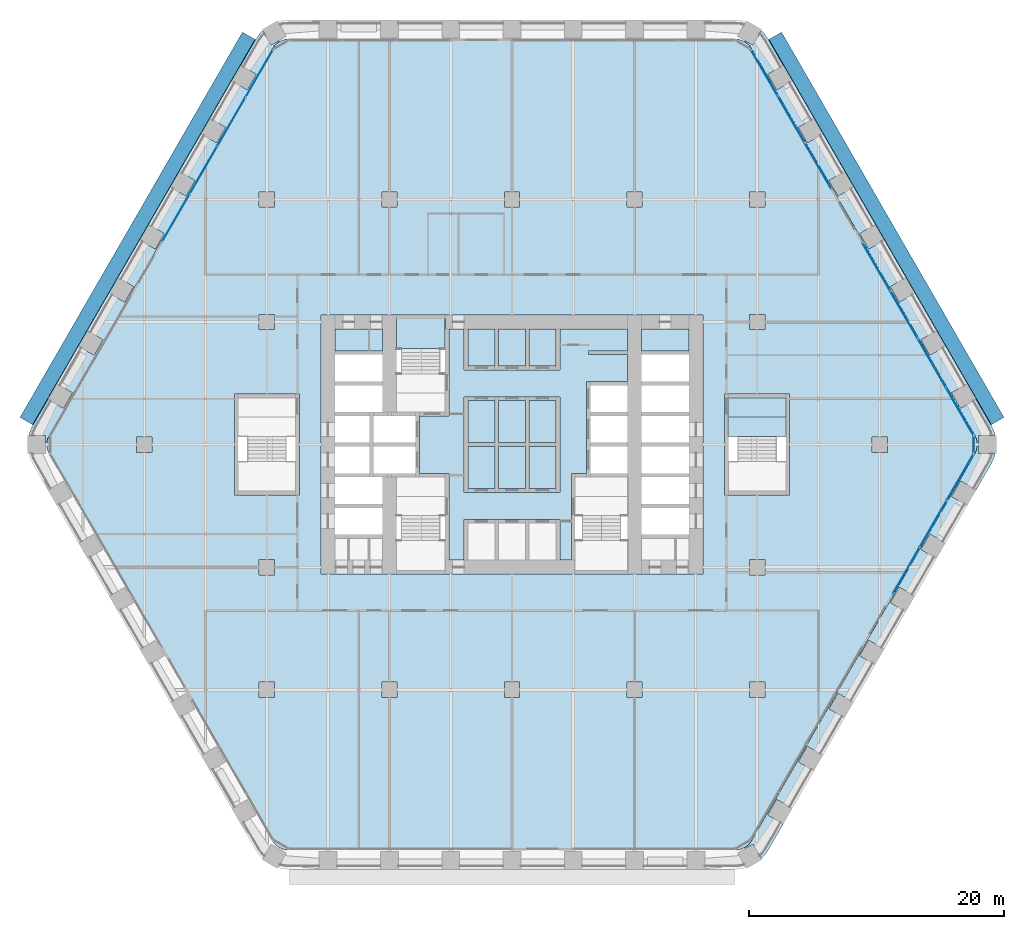
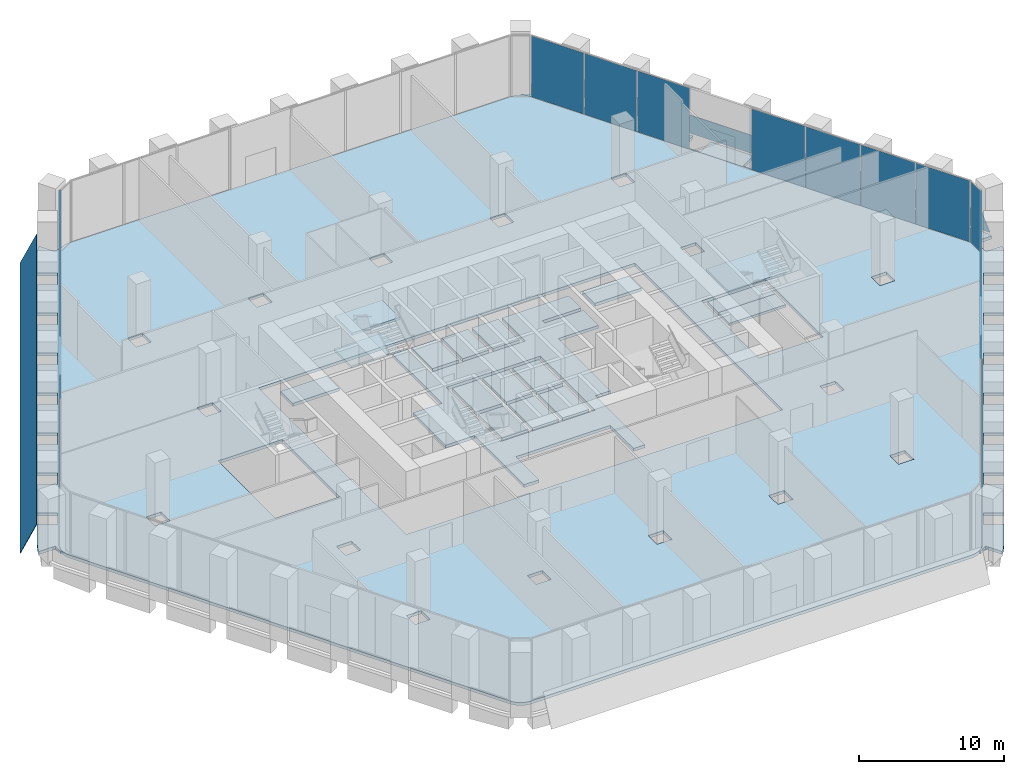
# One storey, part 16 of 27: 21 slabs, 17 plates, 7 elements without a shape of their own.
"""IFC4 building model written with IfcOpenShell, lengths in metres."""

from ifc_helpers import new_model, si_unit, direction, frame, origin, origin_2d, place, context, subcontext, project, spatial, polyline, rectangle, outline, extrude, material, layer, layer_set, type_object, element, aggregate, save


model = new_model("IFC4")

# Units and contexts
model_context = context("Model", 3, precision=1e-05, world=origin(), true_north=direction((0.0, 1.0)))
body_context = subcontext(model_context, "Body", "Model", "MODEL_VIEW")
ifc_project = project(units=[si_unit("LENGTHUNIT", "METRE"), si_unit("AREAUNIT", "SQUARE_METRE"), si_unit("VOLUMEUNIT", "CUBIC_METRE"), si_unit("PLANEANGLEUNIT", "RADIAN"), si_unit("MASSUNIT", "GRAM", prefix="KILO")], contexts=[model_context])

# Site, building, storey
site_placement = place(None, origin())
site = spatial("IfcSite", under=ifc_project, at=site_placement, CompositionType="ELEMENT")
building_placement = place(site_placement, origin())
building = spatial("IfcBuilding", under=site, at=building_placement, Name="Kolab Exchange Tower", CompositionType="ELEMENT")
storey_placement = place(building_placement, frame((0.0, 0.0, 44.39990234375)))
storey = spatial("IfcBuildingStorey", under=building, at=storey_placement, Name="L08", CompositionType="ELEMENT", Elevation=44.39990234375)

# Slabs
ifc_material_1 = material(Name="Concrete C35/45", Category="concrete")
ifc_layer_1 = layer(ifc_material_1, 0.25)
ifc_layer_set_1 = layer_set([ifc_layer_1], Name="Concrete C35/45")
slab_type_1 = type_object("IfcSlabType", Name="FLOOR SLAB 250", PredefinedType="FLOOR", material=ifc_layer_set_1)
slab_1_placement = place(storey_placement, frame((0.0, 0.0, -0.25)))
element("IfcSlab", 1, at=slab_1_placement, inside=storey, type_object=slab_type_1, Name="slab/L08/floor/0", PredefinedType="FLOOR", context=body_context, shape_type="SweptSolid", body=[
    extrude(outline(polyline([(18.76708984375, -31.00537109375), (36.23486328125, -0.75), (36.345458984375, -0.512939453125), (36.4130859375, -0.260498046875), (36.435791015625, 0.0), (36.4130859375, 0.260498046875), (36.345458984375, 0.512939453125), (36.23486328125, 0.75), (18.76708984375, 31.00537109375), (18.616943359375, 31.219482421875), (18.43212890625, 31.404541015625), (18.218017578125, 31.554443359375), (17.98095703125, 31.664794921875), (17.728515625, 31.732666015625), (17.468017578125, 31.75537109375), (-17.468017578125, 31.75537109375), (-17.728515625, 31.732666015625), (-17.98095703125, 31.664794921875), (-18.218017578125, 31.554443359375), (-18.43212890625, 31.404541015625), (-18.616943359375, 31.219482421875), (-18.76708984375, 31.00537109375), (-36.23486328125, 0.75), (-36.345458984375, 0.512939453125), (-36.4130859375, 0.260498046875), (-36.435791015625, 0.0), (-36.4130859375, -0.260498046875), (-36.345458984375, -0.512939453125), (-36.23486328125, -0.75), (-18.76708984375, -31.00537109375), (-18.616943359375, -31.219482421875), (-18.43212890625, -31.404541015625), (-18.218017578125, -31.554443359375), (-17.98095703125, -31.664794921875), (-17.728515625, -31.732666015625), (-17.468017578125, -31.75537109375), (17.468017578125, -31.75537109375), (17.728515625, -31.732666015625), (17.98095703125, -31.664794921875), (18.218017578125, -31.554443359375), (18.43212890625, -31.404541015625), (18.616943359375, -31.219482421875), (18.76708984375, -31.00537109375)]), holes=[polyline([(-19.800048828125, -18.60009765625), (-18.60009765625, -18.60009765625), (-18.60009765625, -19.800048828125), (-19.800048828125, -19.800048828125), (-19.800048828125, -18.60009765625)]), polyline([(-18.60009765625, -9.0), (-18.60009765625, -10.199951171875), (-19.800048828125, -10.199951171875), (-19.800048828125, -9.0), (-18.60009765625, -9.0)]), polyline([(-21.75, -3.949951171875), (-21.75, 3.949951171875), (-21.449951171875, 3.949951171875), (-16.949951171875, 3.949951171875), (-16.64990234375, 3.949951171875), (-16.64990234375, -3.949951171875), (-16.949951171875, -3.949951171875), (-21.449951171875, -3.949951171875), (-21.75, -3.949951171875)]), polyline([(-14.949951171875, 10.14990234375), (-13.85009765625, 10.14990234375), (-10.14990234375, 10.14990234375), (-9.050048828125, 10.14990234375), (-5.25, 10.14990234375), (9.050048828125, 10.14990234375), (10.14990234375, 10.14990234375), (13.85009765625, 10.14990234375), (14.949951171875, 10.14990234375), (14.949951171875, -10.14990234375), (13.85009765625, -10.14990234375), (10.14990234375, -10.14990234375), (9.050048828125, -10.14990234375), (4.949951171875, -10.14990234375), (-5.25, -10.14990234375), (-9.050048828125, -10.14990234375), (-10.14990234375, -10.14990234375), (-13.85009765625, -10.14990234375), (-14.949951171875, -10.14990234375), (-14.949951171875, 10.14990234375)]), polyline([(-28.199951171875, 0.60009765625), (-28.199951171875, -0.60009765625), (-29.39990234375, -0.60009765625), (-29.39990234375, 0.60009765625), (-28.199951171875, 0.60009765625)]), polyline([(-18.60009765625, 10.199951171875), (-18.60009765625, 9.0), (-19.800048828125, 9.0), (-19.800048828125, 10.199951171875), (-18.60009765625, 10.199951171875)]), polyline([(-19.800048828125, 19.800048828125), (-18.60009765625, 19.800048828125), (-18.60009765625, 18.60009765625), (-19.800048828125, 18.60009765625), (-19.800048828125, 19.800048828125)]), polyline([(-9.0, -18.60009765625), (-9.0, -19.800048828125), (-10.199951171875, -19.800048828125), (-10.199951171875, -18.60009765625), (-9.0, -18.60009765625)]), polyline([(-9.0, 19.800048828125), (-9.0, 18.60009765625), (-10.199951171875, 18.60009765625), (-10.199951171875, 19.800048828125), (-9.0, 19.800048828125)]), polyline([(0.60009765625, -18.60009765625), (0.60009765625, -19.800048828125), (-0.60009765625, -19.800048828125), (-0.60009765625, -18.60009765625), (0.60009765625, -18.60009765625)]), polyline([(0.60009765625, 19.800048828125), (0.60009765625, 18.60009765625), (-0.60009765625, 18.60009765625), (-0.60009765625, 19.800048828125), (0.60009765625, 19.800048828125)]), polyline([(10.199951171875, -18.60009765625), (10.199951171875, -19.800048828125), (9.0, -19.800048828125), (9.0, -18.60009765625), (10.199951171875, -18.60009765625)]), polyline([(9.0, 19.800048828125), (10.199951171875, 19.800048828125), (10.199951171875, 18.60009765625), (9.0, 18.60009765625), (9.0, 19.800048828125)]), polyline([(19.800048828125, -18.60009765625), (19.800048828125, -19.800048828125), (18.60009765625, -19.800048828125), (18.60009765625, -18.60009765625), (19.800048828125, -18.60009765625)]), polyline([(19.800048828125, -9.0), (19.800048828125, -10.199951171875), (18.60009765625, -10.199951171875), (18.60009765625, -9.0), (19.800048828125, -9.0)]), polyline([(16.949951171875, -3.949951171875), (16.64990234375, -3.949951171875), (16.64990234375, 3.949951171875), (16.949951171875, 3.949951171875), (21.449951171875, 3.949951171875), (21.75, 3.949951171875), (21.75, -3.949951171875), (21.449951171875, -3.949951171875), (16.949951171875, -3.949951171875)]), polyline([(29.39990234375, 0.60009765625), (29.39990234375, -0.60009765625), (28.199951171875, -0.60009765625), (28.199951171875, 0.60009765625), (29.39990234375, 0.60009765625)]), polyline([(18.60009765625, 10.199951171875), (19.800048828125, 10.199951171875), (19.800048828125, 9.0), (18.60009765625, 9.0), (18.60009765625, 10.199951171875)]), polyline([(18.60009765625, 19.800048828125), (19.800048828125, 19.800048828125), (19.800048828125, 18.60009765625), (18.60009765625, 18.60009765625), (18.60009765625, 19.800048828125)])]), origin(), (0.0, 0.0, 1.0), 0.25),
])
slab_2_placement = place(storey_placement, frame((0.0, 0.0, -0.25)))
element("IfcSlab", 2, at=slab_2_placement, inside=storey, type_object=slab_type_1, Name="slab/L08/floor/1", PredefinedType="FLOOR", context=body_context, shape_type="SweptSolid", body=[
    extrude(outline(polyline([(-5.25, 2.25), (-7.25, 2.25), (-7.25, -2.25), (-5.25, -2.25), (-4.949951171875, -2.25), (-4.949951171875, -9.050048828125), (-3.75, -9.050048828125), (-3.75, -5.85009765625), (-3.449951171875, -5.85009765625), (-1.35009765625, -5.85009765625), (-1.050048828125, -5.85009765625), (1.050048828125, -5.85009765625), (1.35009765625, -5.85009765625), (3.449951171875, -5.85009765625), (3.75, -5.85009765625), (3.75, -9.050048828125), (4.64990234375, -9.050048828125), (4.64990234375, -2.25), (4.949951171875, -2.25), (5.85009765625, -2.25), (5.85009765625, 4.949951171875), (6.14990234375, 4.949951171875), (9.050048828125, 4.949951171875), (9.050048828125, 7.050048828125), (6.0, 7.050048828125), (6.0, 7.35009765625), (9.050048828125, 7.35009765625), (9.050048828125, 9.050048828125), (3.75, 9.050048828125), (3.75, 5.85009765625), (3.449951171875, 5.85009765625), (1.35009765625, 5.85009765625), (1.050048828125, 5.85009765625), (-1.050048828125, 5.85009765625), (-1.35009765625, 5.85009765625), (-3.449951171875, 5.85009765625), (-3.75, 5.85009765625), (-3.75, 9.050048828125), (-4.949951171875, 9.050048828125), (-4.949951171875, 2.25), (-5.25, 2.25)]), holes=[polyline([(-1.35009765625, 3.75), (-1.050048828125, 3.75), (1.050048828125, 3.75), (1.35009765625, 3.75), (3.449951171875, 3.75), (3.75, 3.75), (3.75, -3.75), (3.449951171875, -3.75), (1.35009765625, -3.75), (1.050048828125, -3.75), (-1.050048828125, -3.75), (-1.35009765625, -3.75), (-3.449951171875, -3.75), (-3.75, -3.75), (-3.75, 3.75), (-3.449951171875, 3.75), (-1.35009765625, 3.75)])]), origin(), (0.0, 0.0, 1.0), 0.25),
])
slab_3_placement = place(storey_placement, frame((0.0, 0.0, -0.25)))
element("IfcSlab", 3, at=slab_3_placement, inside=storey, type_object=slab_type_1, Name="slab/L08/floor/2", PredefinedType="FLOOR", context=body_context, shape_type="SweptSolid", body=[
    extrude(outline(polyline([(-3.449951171875, -3.449951171875), (-1.35009765625, -3.449951171875), (-1.35009765625, -0.14990234375), (-3.449951171875, -0.14990234375), (-3.449951171875, -3.449951171875)])), origin(), (0.0, 0.0, 1.0), 0.25),
])
slab_4_placement = place(storey_placement, frame((0.0, 0.0, -0.25)))
element("IfcSlab", 4, at=slab_4_placement, inside=storey, type_object=slab_type_1, Name="slab/L08/floor/3", PredefinedType="FLOOR", context=body_context, shape_type="SweptSolid", body=[
    extrude(outline(polyline([(-1.35009765625, 0.14990234375), (-1.35009765625, 3.449951171875), (-3.449951171875, 3.449951171875), (-3.449951171875, 0.14990234375), (-1.35009765625, 0.14990234375)])), origin(), (0.0, 0.0, 1.0), 0.25),
])
slab_5_placement = place(storey_placement, frame((0.0, 0.0, -0.25)))
element("IfcSlab", 5, at=slab_5_placement, inside=storey, type_object=slab_type_1, Name="slab/L08/floor/4", PredefinedType="FLOOR", context=body_context, shape_type="SweptSolid", body=[
    extrude(outline(polyline([(-1.050048828125, -0.14990234375), (-1.050048828125, -3.449951171875), (1.050048828125, -3.449951171875), (1.050048828125, -0.14990234375), (-1.050048828125, -0.14990234375)])), origin(), (0.0, 0.0, 1.0), 0.25),
])
slab_6_placement = place(storey_placement, frame((0.0, 0.0, -0.25)))
element("IfcSlab", 6, at=slab_6_placement, inside=storey, type_object=slab_type_1, Name="slab/L08/floor/5", PredefinedType="FLOOR", context=body_context, shape_type="SweptSolid", body=[
    extrude(outline(polyline([(-1.050048828125, 3.449951171875), (-1.050048828125, 0.14990234375), (1.050048828125, 0.14990234375), (1.050048828125, 3.449951171875), (-1.050048828125, 3.449951171875)])), origin(), (0.0, 0.0, 1.0), 0.25),
])
slab_7_placement = place(storey_placement, frame((0.0, 0.0, -0.25)))
element("IfcSlab", 7, at=slab_7_placement, inside=storey, type_object=slab_type_1, Name="slab/L08/floor/6", PredefinedType="FLOOR", context=body_context, shape_type="SweptSolid", body=[
    extrude(outline(polyline([(1.35009765625, -3.449951171875), (3.449951171875, -3.449951171875), (3.449951171875, -0.14990234375), (1.35009765625, -0.14990234375), (1.35009765625, -3.449951171875)])), origin(), (0.0, 0.0, 1.0), 0.25),
])
slab_8_placement = place(storey_placement, frame((0.0, 0.0, -0.25)))
element("IfcSlab", 8, at=slab_8_placement, inside=storey, type_object=slab_type_1, Name="slab/L08/floor/7", PredefinedType="FLOOR", context=body_context, shape_type="SweptSolid", body=[
    extrude(outline(polyline([(1.35009765625, 0.14990234375), (3.449951171875, 0.14990234375), (3.449951171875, 3.449951171875), (1.35009765625, 3.449951171875), (1.35009765625, 0.14990234375)])), origin(), (0.0, 0.0, 1.0), 0.25),
])
slab_9_placement = place(storey_placement, frame((0.0, 0.0, -0.25)))
element("IfcSlab", 9, at=slab_9_placement, inside=storey, type_object=slab_type_1, Name="slab/L08/floor/9", PredefinedType="FLOOR", context=body_context, shape_type="SweptSolid", body=[
    extrude(outline(polyline([(21.449951171875, 3.64990234375), (16.949951171875, 3.64990234375), (16.949951171875, 2.14990234375), (21.449951171875, 2.14990234375), (21.449951171875, 3.64990234375)])), origin(), (0.0, 0.0, 1.0), 0.25),
])
slab_10_placement = place(storey_placement, frame((0.0, 0.0, -0.25)))
element("IfcSlab", 10, at=slab_10_placement, inside=storey, type_object=slab_type_1, Name="slab/L08/floor/11", PredefinedType="FLOOR", context=body_context, shape_type="SweptSolid", body=[
    extrude(outline(polyline([(-13.85009765625, 7.35009765625), (-10.14990234375, 7.35009765625), (-10.14990234375, 9.050048828125), (-13.85009765625, 9.050048828125), (-13.85009765625, 7.35009765625)])), origin(), (0.0, 0.0, 1.0), 0.25),
])
slab_11_placement = place(storey_placement, frame((0.0, 0.0, -0.25)))
element("IfcSlab", 11, at=slab_11_placement, inside=storey, type_object=slab_type_1, Name="slab/L08/floor/13", PredefinedType="FLOOR", context=body_context, shape_type="SweptSolid", body=[
    extrude(outline(polyline([(10.14990234375, 7.35009765625), (13.85009765625, 7.35009765625), (13.85009765625, 9.050048828125), (10.14990234375, 9.050048828125), (10.14990234375, 7.35009765625)])), origin(), (0.0, 0.0, 1.0), 0.25),
])
slab_12_placement = place(storey_placement, frame((0.0, 0.0, -0.25)))
element("IfcSlab", 12, at=slab_12_placement, inside=storey, type_object=slab_type_1, Name="slab/L08/floor/16", PredefinedType="FLOOR", context=body_context, shape_type="SweptSolid", body=[
    extrude(outline(polyline([(-1.050048828125, 9.050048828125), (-1.050048828125, 6.14990234375), (1.050048828125, 6.14990234375), (1.050048828125, 9.050048828125), (-1.050048828125, 9.050048828125)])), origin(), (0.0, 0.0, 1.0), 0.25),
])
slab_13_placement = place(storey_placement, frame((0.0, 0.0, -0.25)))
element("IfcSlab", 13, at=slab_13_placement, inside=storey, type_object=slab_type_1, Name="slab/L08/floor/18", PredefinedType="FLOOR", context=body_context, shape_type="SweptSolid", body=[
    extrude(outline(polyline([(-1.35009765625, 6.14990234375), (-1.35009765625, 9.050048828125), (-3.449951171875, 9.050048828125), (-3.449951171875, 6.14990234375), (-1.35009765625, 6.14990234375)])), origin(), (0.0, 0.0, 1.0), 0.25),
])
slab_14_placement = place(storey_placement, frame((0.0, 0.0, -0.25)))
element("IfcSlab", 14, at=slab_14_placement, inside=storey, type_object=slab_type_1, Name="slab/L08/floor/20", PredefinedType="FLOOR", context=body_context, shape_type="SweptSolid", body=[
    extrude(outline(polyline([(1.35009765625, 6.14990234375), (3.449951171875, 6.14990234375), (3.449951171875, 9.050048828125), (1.35009765625, 9.050048828125), (1.35009765625, 6.14990234375)])), origin(), (0.0, 0.0, 1.0), 0.25),
])
ifc_layer_2 = layer(ifc_material_1, 0.25)
ifc_layer_set_2 = layer_set([ifc_layer_2], Name="Concrete C35/45")
slab_type_2 = type_object("IfcSlabType", Name="LOGGIA SLAB 250", PredefinedType="FLOOR", material=ifc_layer_set_2)
slab_15_placement = place(storey_placement, frame((0.0, 0.0, -0.25)))
element("IfcSlab", 15, at=slab_15_placement, inside=storey, type_object=slab_type_2, Name="slab/L08/loggia/1-0", PredefinedType="FLOOR", context=body_context, shape_type="SweptSolid", body=[
    extrude(outline(polyline([(36.435791015625, 0.0), (36.535888671875, 0.0), (36.535888671875, 0.699951171875), (37.84228515625, 0.699951171875), (37.7548828125, 1.026123046875), (37.533935546875, 1.5), (36.35009765625, 3.55078125), (35.137451171875, 2.8505859375), (34.4375, 4.063232421875), (35.64990234375, 4.76318359375), (33.949951171875, 7.70751953125), (32.737548828125, 7.007568359375), (32.03759765625, 8.219970703125), (33.25, 8.920166015625), (31.550048828125, 11.864501953125), (30.337646484375, 11.16455078125), (29.637451171875, 12.376953125), (30.85009765625, 13.076904296875), (29.14990234375, 16.021484375), (27.9375, 15.321533203125), (27.237548828125, 16.533935546875), (28.449951171875, 17.23388671875), (26.75, 20.178466796875), (25.53759765625, 19.478271484375), (24.837646484375, 20.69091796875), (26.050048828125, 21.390869140625), (24.35009765625, 24.335205078125), (23.137451171875, 23.63525390625), (22.4375, 24.84765625), (23.64990234375, 25.5478515625), (21.949951171875, 28.4921875), (20.737548828125, 27.792236328125), (20.03759765625, 29.004638671875), (21.25, 29.70458984375), (20.06591796875, 31.75537109375), (19.76611328125, 32.183837890625), (19.52734375, 32.42236328125), (18.874267578125, 31.291015625), (18.26806640625, 31.64111328125), (18.218017578125, 31.554443359375), (18.43212890625, 31.404541015625), (18.616943359375, 31.219482421875), (18.76708984375, 31.00537109375), (36.23486328125, 0.75), (36.345458984375, 0.512939453125), (36.4130859375, 0.260498046875), (36.435791015625, 0.0)])), origin(), (0.0, 0.0, 1.0), 0.25),
])
slab_16_placement = place(storey_placement, frame((0.0, 0.0, -0.25)))
element("IfcSlab", 16, at=slab_16_placement, inside=storey, type_object=slab_type_2, Name="slab/L08/loggia/2-0", PredefinedType="FLOOR", context=body_context, shape_type="SweptSolid", body=[
    extrude(outline(polyline([(20.06591796875, -31.75537109375), (21.25, -29.70458984375), (20.03759765625, -29.004638671875), (20.737548828125, -27.792236328125), (21.949951171875, -28.4921875), (23.64990234375, -25.5478515625), (22.4375, -24.84765625), (23.137451171875, -23.63525390625), (24.35009765625, -24.335205078125), (26.050048828125, -21.390869140625), (24.837646484375, -20.69091796875), (25.53759765625, -19.478271484375), (26.75, -20.178466796875), (28.449951171875, -17.23388671875), (27.237548828125, -16.533935546875), (27.9375, -15.321533203125), (29.14990234375, -16.021484375), (30.85009765625, -13.076904296875), (29.637451171875, -12.376953125), (30.337646484375, -11.16455078125), (31.550048828125, -11.864501953125), (33.25, -8.920166015625), (32.03759765625, -8.219970703125), (32.737548828125, -7.007568359375), (33.949951171875, -7.70751953125), (35.64990234375, -4.76318359375), (34.4375, -4.063232421875), (35.137451171875, -2.8505859375), (36.35009765625, -3.55078125), (37.533935546875, -1.5), (37.7548828125, -1.026123046875), (37.84228515625, -0.699951171875), (36.535888671875, -0.699951171875), (36.535888671875, 0.0), (36.435791015625, 0.0), (36.4130859375, -0.260498046875), (36.345458984375, -0.512939453125), (36.23486328125, -0.75), (18.76708984375, -31.00537109375), (18.616943359375, -31.219482421875), (18.43212890625, -31.404541015625), (18.218017578125, -31.554443359375), (18.26806640625, -31.64111328125), (18.874267578125, -31.291015625), (19.52734375, -32.42236328125), (19.76611328125, -32.183837890625), (20.06591796875, -31.75537109375)])), origin(), (0.0, 0.0, 1.0), 0.25),
])
slab_17_placement = place(storey_placement, frame((0.0, 0.0, -0.25)))
element("IfcSlab", 17, at=slab_17_placement, inside=storey, type_object=slab_type_2, Name="slab/L08/loggia/5-0", PredefinedType="FLOOR", context=body_context, shape_type="SweptSolid", body=[
    extrude(outline(polyline([(-18.218017578125, 31.554443359375), (-18.26806640625, 31.64111328125), (-18.874267578125, 31.291015625), (-19.52734375, 32.42236328125), (-19.76611328125, 32.183837890625), (-20.06591796875, 31.75537109375), (-21.25, 29.70458984375), (-20.03759765625, 29.004638671875), (-20.737548828125, 27.792236328125), (-21.949951171875, 28.4921875), (-23.64990234375, 25.5478515625), (-22.4375, 24.84765625), (-23.137451171875, 23.63525390625), (-24.35009765625, 24.335205078125), (-26.050048828125, 21.390869140625), (-24.837646484375, 20.69091796875), (-25.53759765625, 19.478271484375), (-26.75, 20.178466796875), (-28.449951171875, 17.23388671875), (-27.237548828125, 16.533935546875), (-27.9375, 15.321533203125), (-29.14990234375, 16.021484375), (-30.85009765625, 13.076904296875), (-29.637451171875, 12.376953125), (-30.337646484375, 11.16455078125), (-31.550048828125, 11.864501953125), (-33.25, 8.920166015625), (-32.03759765625, 8.219970703125), (-32.737548828125, 7.007568359375), (-33.949951171875, 7.70751953125), (-35.64990234375, 4.76318359375), (-34.4375, 4.063232421875), (-35.137451171875, 2.8505859375), (-36.35009765625, 3.55078125), (-37.533935546875, 1.5), (-37.7548828125, 1.026123046875), (-37.84228515625, 0.699951171875), (-36.535888671875, 0.699951171875), (-36.535888671875, 0.0), (-36.435791015625, 0.0), (-36.4130859375, 0.260498046875), (-36.345458984375, 0.512939453125), (-36.23486328125, 0.75), (-18.76708984375, 31.00537109375), (-18.616943359375, 31.219482421875), (-18.43212890625, 31.404541015625), (-18.218017578125, 31.554443359375)])), origin(), (0.0, 0.0, 1.0), 0.25),
])

# Plates
ifc_material_2 = material(Name="Laminated glass, clear", Category="glass")
ifc_layer_3 = layer(ifc_material_2, 0.0400390625)
ifc_layer_set_3 = layer_set([ifc_layer_3], Name="Laminated glass, clear")
plate_type_1 = type_object("IfcPlateType", Name="OUTER SKIN LAMINATED GLASS SHEET 40", PredefinedType="SHEET", material=ifc_layer_set_3)
plate_1_placement = place(storey_placement, frame((21.11279296875, 32.302001953125, -0.782958984375), z_axis=(0.784872769673, 0.453148092024, 0.422648248689), x_axis=(0.500001313459, -0.866024645457, 0.0)))
element("IfcPlate", 18, at=plate_1_placement, inside=storey, type_object=plate_type_1, Name="Outer skin", PredefinedType="SHEET", context=body_context, shape_type="SweptSolid", body=[
    extrude(outline(polyline([(0.0, 0.0), (34.83584598906518, 0.0), (34.83577870170086, -2.7059575705201855), (-6.728736431932392e-05, -2.705957570520185), (0.0, 0.0)])), origin(), (0.0, 0.0, -1.0), 0.0400390625),
])
plate_2_placement = place(storey_placement, frame((-38.53076171875, 2.13330078125, -0.782958984375), z_axis=(-0.784872769673, 0.453148092024, 0.422648248689), x_axis=(0.500001313459, 0.866024645457, 0.0)))
element("IfcPlate", 19, at=plate_2_placement, inside=storey, type_object=plate_type_1, Name="Outer skin", PredefinedType="SHEET", context=body_context, shape_type="SweptSolid", body=[
    extrude(outline(polyline([(0.0, 0.0), (34.83584598906518, 0.0), (34.8359132764295, -2.7059575705201846), (6.728736431932392e-05, -2.705957570520185), (0.0, 0.0)])), origin(), (0.0, 0.0, -1.0), 0.0400390625),
])

# Stair, slabs
ifc_material_3 = material(Name="Concrete C50/60", Category="concrete")
stair_type_1 = type_object("IfcStairType", Name="STAIR ST1 RISER 171.9", PredefinedType="DOUBLE_RETURN_STAIR", material=ifc_material_3)
stair_1_placement = place(storey_placement, origin())
stair_1 = element("IfcStair", 20, at=stair_1_placement, inside=storey, type_object=stair_type_1, Name="Stair 1", PredefinedType="DOUBLE_RETURN_STAIR")
ifc_layer_4 = layer(ifc_material_3, 0.199951171875)
ifc_layer_set_4 = layer_set([ifc_layer_4], Name="Concrete C50/60")
slab_type_3 = type_object("IfcSlabType", Name="STAIR LANDING 200", PredefinedType="LANDING", material=ifc_layer_set_4)
slab_18_placement = place(storey_placement, frame((0.0, 0.0, 1.175048828125)))
slab_18 = element("IfcSlab", 21, at=slab_18_placement, type_object=slab_type_3, Name="ST1 landing 2", PredefinedType="LANDING", context=body_context, shape_type="SweptSolid", body=[
    extrude(outline(polyline([(-9.110107421875, 7.510009765625), (-5.18994140625, 7.510009765625), (-5.18994140625, 9.909912109375), (-9.110107421875, 9.909912109375), (-9.110107421875, 7.510009765625)])), origin(), (0.0, 0.0, 1.0), 0.199951171875),
])
slab_19_placement = place(storey_placement, frame((0.0, 0.0, 3.925048828125)))
slab_19 = element("IfcSlab", 22, at=slab_19_placement, type_object=slab_type_3, Name="ST1 landing 4", PredefinedType="LANDING", context=body_context, shape_type="SweptSolid", body=[
    extrude(outline(polyline([(-9.050048828125, 7.510009765625), (-5.25, 7.510009765625), (-5.25, 9.909912109375), (-9.050048828125, 9.909912109375), (-9.050048828125, 7.510009765625)])), origin(), (0.0, 0.0, 1.0), 0.199951171875),
])
aggregate(stair_1, [slab_18, slab_19])

stair_type_2 = type_object("IfcStairType", Name="STAIR ST4 RISER 171.9", PredefinedType="DOUBLE_RETURN_STAIR", material=ifc_material_3)
stair_2_placement = place(storey_placement, origin())
stair_2 = element("IfcStair", 23, at=stair_2_placement, inside=storey, type_object=stair_type_2, Name="Stair 4", PredefinedType="DOUBLE_RETURN_STAIR")
slab_20_placement = place(storey_placement, frame((0.0, 0.0, -0.199951171875)))
slab_20 = element("IfcSlab", 24, at=slab_20_placement, type_object=slab_type_3, Name="ST4 landing 1", PredefinedType="LANDING", context=body_context, shape_type="SweptSolid", body=[
    extrude(outline(polyline([(16.949951171875, 0.64990234375), (21.449951171875, 0.64990234375), (21.449951171875, 2.14990234375), (16.949951171875, 2.14990234375), (16.949951171875, 0.64990234375)])), origin(), (0.0, 0.0, 1.0), 0.199951171875),
])
slab_21_placement = place(storey_placement, frame((0.0, 0.0, 2.550048828125)))
slab_21 = element("IfcSlab", 25, at=slab_21_placement, type_object=slab_type_3, Name="ST4 landing 3", PredefinedType="LANDING", context=body_context, shape_type="SweptSolid", body=[
    extrude(outline(polyline([(16.889892578125, 0.64990234375), (21.510009765625, 0.64990234375), (21.510009765625, 3.7099609375), (16.889892578125, 3.7099609375), (16.889892578125, 0.64990234375)])), origin(), (0.0, 0.0, 1.0), 0.199951171875),
])
aggregate(stair_2, [slab_20, slab_21])

# Curtain wall, plates
ifc_material_4 = material(Name="Aluminium EN AW-6063 T6", Category="aluminium")
curtain_wall_type = type_object("IfcCurtainWallType", Name="UNITISED LOW ZONE CURTAIN WALL", PredefinedType="NOTDEFINED", material=ifc_material_4)
curtain_wall_1_placement = place(storey_placement, origin())
curtain_wall_1 = element("IfcCurtainWall", 26, at=curtain_wall_1_placement, inside=storey, type_object=curtain_wall_type, Name="cw/L08/F2-1", PredefinedType="NOTDEFINED")
ifc_material_5 = material(Name="Clear insulated glazing unit", Category="glass")
ifc_layer_5 = layer(ifc_material_5, 0.02392578125)
ifc_layer_set_5 = layer_set([ifc_layer_5], Name="Clear insulated glazing unit")
plate_type_2 = type_object("IfcPlateType", Name="UNITISED LOW ZONE GLASS PANEL 24", PredefinedType="CURTAIN_PANEL", material=ifc_layer_set_5)
plate_3_placement = place(storey_placement, frame((19.760986328125, 29.1240234375, 0.06005859375), z_axis=(0.0, 0.0, 1.0), x_axis=(0.500000017564, -0.866025393644, 0.0)))
plate_3 = element("IfcPlate", 27, at=plate_3_placement, type_object=plate_type_2, Name="CW1 panel 1.1", PredefinedType="CURTAIN_PANEL", context=body_context, shape_type="SweptSolid", body=[
    extrude(rectangle(XDim=4.132568359375, YDim=0.02392578125, at=origin_2d()), origin(), (0.0, 0.0, 1.0), 5.1298828125),
])
plate_4_placement = place(storey_placement, frame((21.86474609375, 25.47998046875, 0.06005859375), z_axis=(0.0, 0.0, 1.0), x_axis=(0.500000017564, -0.866025393644, 0.0)))
plate_4 = element("IfcPlate", 28, at=plate_4_placement, type_object=plate_type_2, Name="CW1 panel 2.1", PredefinedType="CURTAIN_PANEL", context=body_context, shape_type="SweptSolid", body=[
    extrude(rectangle(XDim=4.16259765625, YDim=0.02392578125, at=origin_2d()), origin(), (0.0, 0.0, 1.0), 5.1298828125),
])
plate_5_placement = place(storey_placement, frame((23.968505859375, 21.836181640625, 0.06005859375), z_axis=(0.0, 0.0, 1.0), x_axis=(0.500000017564, -0.866025393644, 0.0)))
plate_5 = element("IfcPlate", 29, at=plate_5_placement, type_object=plate_type_2, Name="CW1 panel 3.1", PredefinedType="CURTAIN_PANEL", context=body_context, shape_type="SweptSolid", body=[
    extrude(rectangle(XDim=4.132568359375, YDim=0.02392578125, at=origin_2d()), origin(), (0.0, 0.0, 1.0), 5.1298828125),
])
aggregate(curtain_wall_1, [plate_3, plate_4, plate_5])

curtain_wall_2_placement = place(storey_placement, origin())
curtain_wall_2 = element("IfcCurtainWall", 30, at=curtain_wall_2_placement, inside=storey, type_object=curtain_wall_type, Name="cw/L08/F2-2", PredefinedType="NOTDEFINED")
plate_6_placement = place(storey_placement, frame((28.531005859375, 13.933837890625, 0.06005859375), z_axis=(0.0, 0.0, 1.0), x_axis=(0.499999968274, -0.866025422102, 0.0)))
plate_6 = element("IfcPlate", 31, at=plate_6_placement, type_object=plate_type_2, Name="CW1 panel 1.1", PredefinedType="CURTAIN_PANEL", context=body_context, shape_type="SweptSolid", body=[
    extrude(rectangle(XDim=4.277099609375, YDim=0.02392578125, at=origin_2d()), origin(), (0.0, 0.0, 1.0), 5.1298828125),
])
plate_7_placement = place(storey_placement, frame((30.70703125, 10.164794921875, 0.06005859375), z_axis=(0.0, 0.0, 1.0), x_axis=(0.499999968274, -0.866025422102, 0.0)))
plate_7 = element("IfcPlate", 32, at=plate_7_placement, type_object=plate_type_2, Name="CW1 panel 2.1", PredefinedType="CURTAIN_PANEL", context=body_context, shape_type="SweptSolid", body=[
    extrude(rectangle(XDim=4.306884765625, YDim=0.02392578125, at=origin_2d()), origin(), (0.0, 0.0, 1.0), 5.1298828125),
])
plate_8_placement = place(storey_placement, frame((32.890380859375, 6.3828125, 0.06005859375), z_axis=(0.0, 0.0, 1.0), x_axis=(0.499999968274, -0.866025422102, 0.0)))
plate_8 = element("IfcPlate", 33, at=plate_8_placement, type_object=plate_type_2, Name="CW1 panel 3.1", PredefinedType="CURTAIN_PANEL", context=body_context, shape_type="SweptSolid", body=[
    extrude(rectangle(XDim=4.306884765625, YDim=0.02392578125, at=origin_2d()), origin(), (0.0, 0.0, 1.0), 5.1298828125),
])
plate_9_placement = place(storey_placement, frame((35.06640625, 2.614013671875, 0.06005859375), z_axis=(0.0, 0.0, 1.0), x_axis=(0.499999968274, -0.866025422102, 0.0)))
plate_9 = element("IfcPlate", 34, at=plate_9_placement, type_object=plate_type_2, Name="CW1 panel 4.1", PredefinedType="CURTAIN_PANEL", context=body_context, shape_type="SweptSolid", body=[
    extrude(rectangle(XDim=4.277099609375, YDim=0.02392578125, at=origin_2d()), origin(), (0.0, 0.0, 1.0), 5.1298828125),
])
aggregate(curtain_wall_2, [plate_6, plate_7, plate_8, plate_9])

curtain_wall_3_placement = place(storey_placement, origin())
curtain_wall_3 = element("IfcCurtainWall", 35, at=curtain_wall_3_placement, inside=storey, type_object=curtain_wall_type, Name="cw/L08/F3-1", PredefinedType="NOTDEFINED")
plate_10_placement = place(storey_placement, frame((35.1025390625, -2.551513671875, 0.06005859375), z_axis=(0.0, 0.0, 1.0), x_axis=(-0.499999958358, -0.866025427826, 0.0)))
plate_10 = element("IfcPlate", 36, at=plate_10_placement, type_object=plate_type_2, Name="CW1 panel 1.1", PredefinedType="CURTAIN_PANEL", context=body_context, shape_type="SweptSolid", body=[
    extrude(rectangle(XDim=4.132568359375, YDim=0.02392578125, at=origin_2d()), origin(), (0.0, 0.0, 1.0), 5.1298828125),
])
plate_11_placement = place(storey_placement, frame((32.998779296875, -6.1953125, 0.06005859375), z_axis=(0.0, 0.0, 1.0), x_axis=(-0.499999958358, -0.866025427826, 0.0)))
plate_11 = element("IfcPlate", 37, at=plate_11_placement, type_object=plate_type_2, Name="CW1 panel 2.1", PredefinedType="CURTAIN_PANEL", context=body_context, shape_type="SweptSolid", body=[
    extrude(rectangle(XDim=4.16259765625, YDim=0.02392578125, at=origin_2d()), origin(), (0.0, 0.0, 1.0), 5.1298828125),
])
plate_12_placement = place(storey_placement, frame((30.894775390625, -9.83935546875, 0.06005859375), z_axis=(0.0, 0.0, 1.0), x_axis=(-0.499999958358, -0.866025427826, 0.0)))
plate_12 = element("IfcPlate", 38, at=plate_12_placement, type_object=plate_type_2, Name="CW1 panel 3.1", PredefinedType="CURTAIN_PANEL", context=body_context, shape_type="SweptSolid", body=[
    extrude(rectangle(XDim=4.132568359375, YDim=0.02392578125, at=origin_2d()), origin(), (0.0, 0.0, 1.0), 5.1298828125),
])
aggregate(curtain_wall_3, [plate_10, plate_11, plate_12])

curtain_wall_4_placement = place(storey_placement, origin())
curtain_wall_4 = element("IfcCurtainWall", 39, at=curtain_wall_4_placement, inside=storey, type_object=curtain_wall_type, Name="cw/L08/F6-2", PredefinedType="NOTDEFINED")
plate_13_placement = place(storey_placement, frame((-26.33251953125, 17.74169921875, 0.06005859375), z_axis=(0.0, 0.0, 1.0), x_axis=(0.5000000112, 0.866025397318, 0.0)))
plate_13 = element("IfcPlate", 40, at=plate_13_placement, type_object=plate_type_2, Name="CW1 panel 1.1", PredefinedType="CURTAIN_PANEL", context=body_context, shape_type="SweptSolid", body=[
    extrude(rectangle(XDim=4.277099609375, YDim=0.02392578125, at=origin_2d()), origin(), (0.0, 0.0, 1.0), 5.1298828125),
])
plate_14_placement = place(storey_placement, frame((-24.156494140625, 21.510498046875, 0.06005859375), z_axis=(0.0, 0.0, 1.0), x_axis=(0.5000000112, 0.866025397318, 0.0)))
plate_14 = element("IfcPlate", 41, at=plate_14_placement, type_object=plate_type_2, Name="CW1 panel 2.1", PredefinedType="CURTAIN_PANEL", context=body_context, shape_type="SweptSolid", body=[
    extrude(rectangle(XDim=4.306884765625, YDim=0.02392578125, at=origin_2d()), origin(), (0.0, 0.0, 1.0), 5.1298828125),
])
plate_15_placement = place(storey_placement, frame((-21.972900390625, 25.29248046875, 0.06005859375), z_axis=(0.0, 0.0, 1.0), x_axis=(0.5000000112, 0.866025397318, 0.0)))
plate_15 = element("IfcPlate", 42, at=plate_15_placement, type_object=plate_type_2, Name="CW1 panel 3.1", PredefinedType="CURTAIN_PANEL", context=body_context, shape_type="SweptSolid", body=[
    extrude(rectangle(XDim=4.306884765625, YDim=0.02392578125, at=origin_2d()), origin(), (0.0, 0.0, 1.0), 5.1298828125),
])
plate_16_placement = place(storey_placement, frame((-19.796875, 29.0615234375, 0.06005859375), z_axis=(0.0, 0.0, 1.0), x_axis=(0.5000000112, 0.866025397318, 0.0)))
plate_16 = element("IfcPlate", 43, at=plate_16_placement, type_object=plate_type_2, Name="CW1 panel 4.1", PredefinedType="CURTAIN_PANEL", context=body_context, shape_type="SweptSolid", body=[
    extrude(rectangle(XDim=4.277099609375, YDim=0.02392578125, at=origin_2d()), origin(), (0.0, 0.0, 1.0), 5.1298828125),
])
aggregate(curtain_wall_4, [plate_13, plate_14, plate_15, plate_16])

# Curtain wall, plate
curtain_wall_5_placement = place(storey_placement, origin())
curtain_wall_5 = element("IfcCurtainWall", 44, at=curtain_wall_5_placement, inside=storey, type_object=curtain_wall_type, Name="cw/L08/F2F3-corner", PredefinedType="NOTDEFINED")
plate_17_placement = place(storey_placement, frame((36.165771484375, 0.0, 0.06005859375), z_axis=(0.0, 0.0, 1.0), x_axis=(0.0, -1.0, 0.0)))
plate_17 = element("IfcPlate", 45, at=plate_17_placement, type_object=plate_type_2, Name="CW1 panel 1.1", PredefinedType="CURTAIN_PANEL", context=body_context, shape_type="SweptSolid", body=[
    extrude(rectangle(XDim=1.300048828125, YDim=0.02392578125, at=origin_2d()), origin(), (0.0, 0.0, 1.0), 5.1298828125),
])
aggregate(curtain_wall_5, [plate_17])

save(model, "model.ifc")
